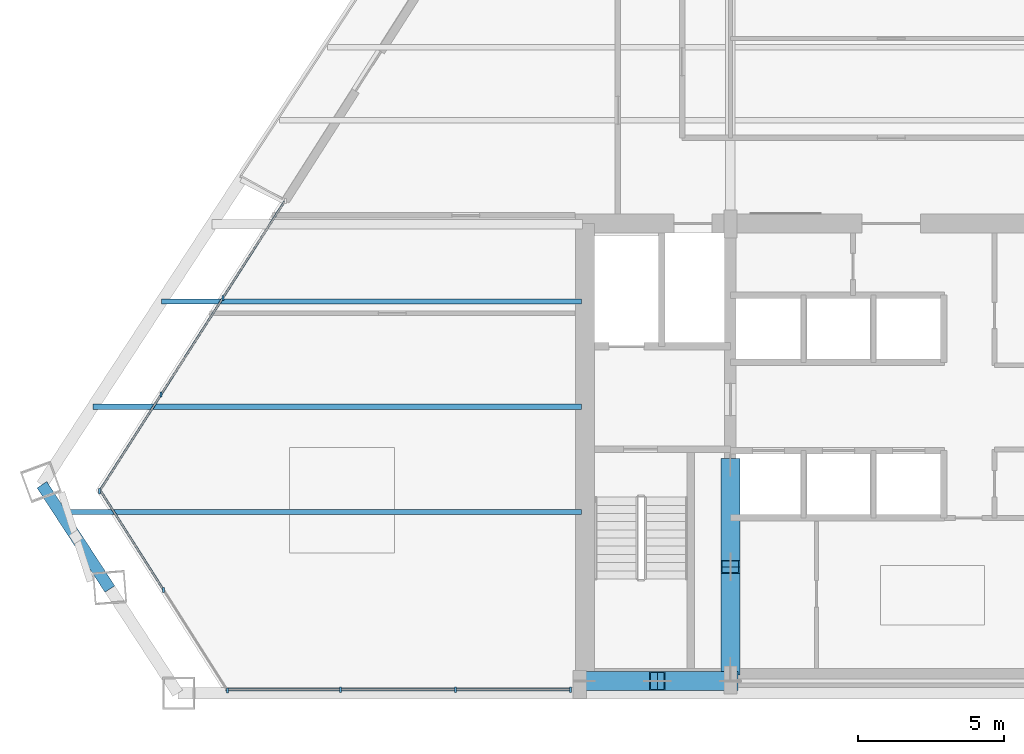
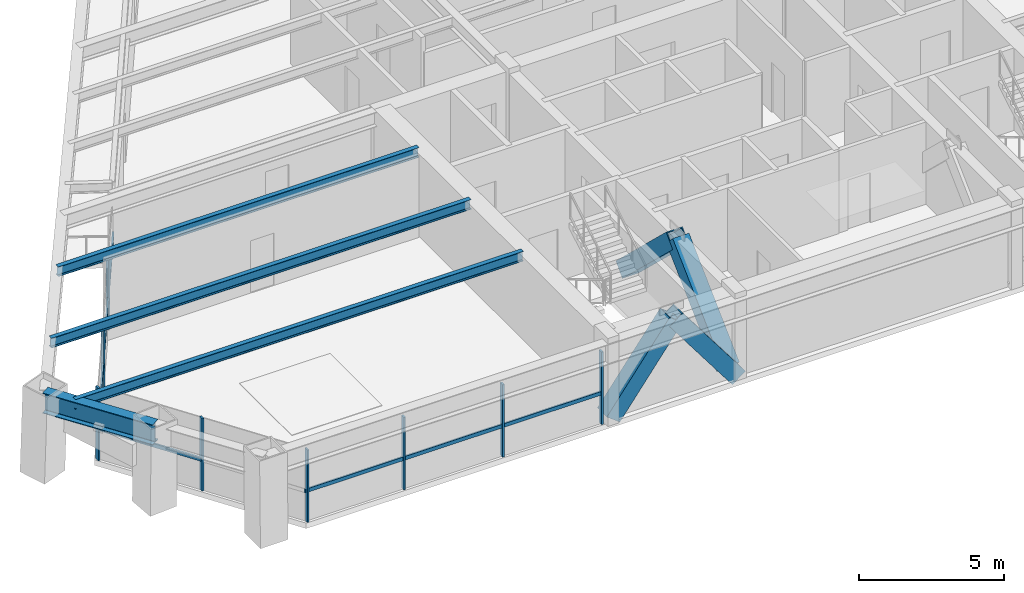
# One storey, part 2 of 15: 19 members, 4 beams, 3 elements without a shape of their own.
"""IFC4 building model written with IfcOpenShell, lengths in metres."""

from ifc_helpers import new_model, si_unit, direction, frame, origin, origin_2d, place, context, subcontext, project, spatial, rectangle, hollow_rectangle, i_section, extrude, source, transform, mapped, material, material_profile, profile_set, type_object, element, aggregate, save


model = new_model("IFC4")

# Units and contexts
model_context = context("Model", 3, precision=1e-05, world=origin(), true_north=direction((0.0, 1.0)))
body_context = subcontext(model_context, "Body", "Model", "MODEL_VIEW")
ifc_project = project(units=[si_unit("LENGTHUNIT", "METRE"), si_unit("AREAUNIT", "SQUARE_METRE"), si_unit("VOLUMEUNIT", "CUBIC_METRE"), si_unit("PLANEANGLEUNIT", "RADIAN"), si_unit("MASSUNIT", "GRAM", prefix="KILO")], contexts=[model_context])

# Site, building, storey
site_placement = place(None, origin())
site = spatial("IfcSite", under=ifc_project, at=site_placement, CompositionType="ELEMENT")
building_placement = place(site_placement, origin())
building = spatial("IfcBuilding", under=site, at=building_placement, Name="Varnakhor Terracotta Tower", CompositionType="ELEMENT")
storey_placement = place(building_placement, frame((0.0, 0.0, 158.89990234375)))
storey = spatial("IfcBuildingStorey", under=building, at=storey_placement, Name="L40", CompositionType="ELEMENT", Elevation=158.89990234375)

# Members
ifc_material_1 = material(Name="Steel S460", Category="steel")
ifc_material_profile_1 = material_profile(ifc_material_1, hollow_rectangle(XDim=0.64990234375, YDim=0.64990234375, WallThickness=0.0400390625, at=origin_2d()), Name="HSS650X650X40")
ifc_profile_set_1 = profile_set([ifc_material_profile_1], Name="Steel S460")
member_type_1 = type_object("IfcMemberType", Name="MBR-MEGA-650", PredefinedType="BRACE", material=ifc_profile_set_1)
shared_shape_1 = source(origin(), body_context, "Body", "SweptSolid", [
    extrude(hollow_rectangle(XDim=0.64990234375, YDim=0.64990234375, WallThickness=0.0400390625, at=origin_2d()), origin(), (0.0, 0.0, 1.0), 4.805908203125),
])
member_1_placement = place(storey_placement, frame((-5.5, 0.85009765625, 0.0), z_axis=(0.0, 0.723026776832, 0.69082000549), x_axis=(-1.0, 0.0, 0.0)))
element("IfcMember", 1, at=member_1_placement, inside=storey, type_object=member_type_1, Name="L40 Core Coupled Brace CWWA", PredefinedType="BRACE", context=body_context, shape_type="MappedRepresentation", body=[
    mapped(shared_shape_1, transform((0.0, 0.0, 0.0), scale=1.0)),
])
shared_shape_2 = source(origin(), body_context, "Body", "SweptSolid", [
    extrude(hollow_rectangle(XDim=0.64990234375, YDim=0.64990234375, WallThickness=0.0400390625, at=origin_2d()), origin(), (0.0, 0.0, 1.0), 4.156005859375),
])
for number, where, z_axis, x_axis, name in (
    (2, (-10.5, 0.419921875, 0.0), (0.601530923869, 0.0, 0.798849515009), (0.0, 1.0, 0.0), "L40 Core Coupled Brace CSWA"),
    (3, (-5.5, 0.419921875, 0.0), (-0.601530923869, 0.0, 0.798849515009), (0.0, -1.0, 0.0), "L40 Core Coupled Brace CSWB"),
):
    element("IfcMember", number, at=place(storey_placement, frame(where, z_axis=z_axis, x_axis=x_axis)), inside=storey, type_object=member_type_1, Name=name, PredefinedType="BRACE", context=body_context, shape_type="MappedRepresentation", body=[
        mapped(shared_shape_2, transform((0.0, 0.0, 0.0), scale=1.0)),
    ])
shared_shape_3 = source(origin(), body_context, "Body", "SweptSolid", [
    extrude(hollow_rectangle(XDim=0.64990234375, YDim=0.64990234375, WallThickness=0.0400390625, at=origin_2d()), origin(), (0.0, 0.0, 1.0), 4.80615234375),
])
member_2_placement = place(storey_placement, frame((-5.5, 7.800048828125, 0.0), z_axis=(0.0, -0.723051018573, 0.690794632681), x_axis=(1.0, 0.0, 0.0)))
element("IfcMember", 4, at=member_2_placement, inside=storey, type_object=member_type_1, Name="L40 Core Coupled Brace CWWB", PredefinedType="BRACE", context=body_context, shape_type="MappedRepresentation", body=[
    mapped(shared_shape_3, transform((0.0, 0.0, 0.0), scale=1.0)),
])

# Beams
ifc_material_2 = material(Name="Steel S355", Category="steel")
ifc_material_profile_2 = material_profile(ifc_material_2, i_section(OverallWidth=0.39990234375, OverallDepth=0.85498046875, WebThickness=0.01806640625, FlangeThickness=0.029052734375, FilletRadius=0.01806640625, at=origin_2d()), Name="W33X201")
ifc_profile_set_2 = profile_set([ifc_material_profile_2], Name="Steel S355")
beam_type_1 = type_object("IfcBeamType", Name="BM-W33X201", PredefinedType="BEAM", material=ifc_profile_set_2)
shared_shape_4 = source(origin(), body_context, "Body", "SweptSolid", [
    extrude(i_section(OverallWidth=0.39990234375, OverallDepth=0.85498046875, WebThickness=0.01806640625, FlangeThickness=0.029052734375, FilletRadius=0.01806640625, at=origin_2d()), origin(), (0.0, 0.0, 1.0), 4.2568359375),
])
beam_1_placement = place(storey_placement, frame((-29.05126953125, 7.133056640625, 3.04248046875), z_axis=(0.545881087399, -0.837862660834, 0.0), x_axis=(0.837862660834, 0.545881087399, 0.0)))
element("IfcBeam", 5, at=beam_1_placement, inside=storey, type_object=beam_type_1, Name="L40 Perimeter Spandrel 7", PredefinedType="BEAM", context=body_context, shape_type="MappedRepresentation", body=[
    mapped(shared_shape_4, transform((0.0, 0.0, 0.0), scale=1.0)),
])
ifc_material_profile_3 = material_profile(ifc_material_2, i_section(OverallWidth=0.179931640625, OverallDepth=0.4130859375, WebThickness=0.009765625, FlangeThickness=0.01611328125, FilletRadius=0.01806640625, at=origin_2d()), Name="W16X50")
ifc_profile_set_3 = profile_set([ifc_material_profile_3], Name="Steel S355")
beam_type_2 = type_object("IfcBeamType", Name="JST-W16X50", PredefinedType="JOIST", material=ifc_profile_set_3)
shared_shape_5 = source(origin(), body_context, "Body", "SweptSolid", [
    extrude(i_section(OverallWidth=0.179931640625, OverallDepth=0.4130859375, WebThickness=0.009765625, FlangeThickness=0.01611328125, FilletRadius=0.01806640625, at=origin_2d()), origin(), (0.0, 0.0, 1.0), 17.84326171875),
])
beam_2_placement = place(storey_placement, frame((-28.443359375, 6.199951171875, 3.263671875), z_axis=(1.0, 0.0, 0.0), x_axis=(0.0, 1.0, 0.0)))
element("IfcBeam", 6, at=beam_2_placement, inside=storey, type_object=beam_type_2, Name="L40 Floor Joist W1", PredefinedType="JOIST", context=body_context, shape_type="MappedRepresentation", body=[
    mapped(shared_shape_5, transform((0.0, 0.0, 0.0), scale=1.0)),
])
shared_shape_6 = source(origin(), body_context, "Body", "SweptSolid", [
    extrude(i_section(OverallWidth=0.179931640625, OverallDepth=0.4130859375, WebThickness=0.009765625, FlangeThickness=0.01611328125, FilletRadius=0.01806640625, at=origin_2d()), origin(), (0.0, 0.0, 1.0), 16.711181640625),
])
beam_3_placement = place(storey_placement, frame((-27.311279296875, 9.800048828125, 3.263671875), z_axis=(1.0, 0.0, 0.0), x_axis=(0.0, 1.0, 0.0)))
element("IfcBeam", 7, at=beam_3_placement, inside=storey, type_object=beam_type_2, Name="L40 Floor Joist W2", PredefinedType="JOIST", context=body_context, shape_type="MappedRepresentation", body=[
    mapped(shared_shape_6, transform((0.0, 0.0, 0.0), scale=1.0)),
])
shared_shape_7 = source(origin(), body_context, "Body", "SweptSolid", [
    extrude(i_section(OverallWidth=0.179931640625, OverallDepth=0.4130859375, WebThickness=0.009765625, FlangeThickness=0.01611328125, FilletRadius=0.01806640625, at=origin_2d()), origin(), (0.0, 0.0, 1.0), 14.36279296875),
])
beam_4_placement = place(storey_placement, frame((-24.962890625, 13.39990234375, 3.263671875), z_axis=(1.0, 0.0, 0.0), x_axis=(0.0, 1.0, 0.0)))
element("IfcBeam", 8, at=beam_4_placement, inside=storey, type_object=beam_type_2, Name="L40 Floor Joist W3", PredefinedType="JOIST", context=body_context, shape_type="MappedRepresentation", body=[
    mapped(shared_shape_7, transform((0.0, 0.0, 0.0), scale=1.0)),
])

# Curtain wall, members
ifc_material_3 = material(Name="Anodised Aluminium Curtain Wall System", Category="aluminium")
curtain_wall_type = type_object("IfcCurtainWallType", Name="CW-SYS-MID-OFFICE", PredefinedType="NOTDEFINED", material=ifc_material_3)
curtain_wall_1_placement = place(storey_placement, origin())
curtain_wall_1 = element("IfcCurtainWall", 9, at=curtain_wall_1_placement, inside=storey, type_object=curtain_wall_type, Name="L40 W Facet Curtain Wall 1", PredefinedType="NOTDEFINED")
ifc_material_4 = material(Name="Anodised Aluminium 6063-T6", Category="aluminium")
ifc_material_profile_4 = material_profile(ifc_material_4, rectangle(XDim=0.070068359375, YDim=0.175048828125, at=origin_2d()), Name="ALU MULLION 70x175")
ifc_profile_set_4 = profile_set([ifc_material_profile_4], Name="Anodised Aluminium 6063-T6")
member_type_2 = type_object("IfcMemberType", Name="CWM-03", PredefinedType="MULLION", material=ifc_profile_set_4)
shared_shape_8 = source(origin(), body_context, "Body", "SweptSolid", [
    extrude(rectangle(XDim=0.070068359375, YDim=0.175048828125, at=origin_2d()), origin(), (0.0, 0.0, 1.0), 3.050048828125),
])
member_3_placement = place(storey_placement, frame((-27.085205078125, 6.909912109375, 0.0), z_axis=(0.0, 0.0, 1.0), x_axis=(1.0, 0.0, 0.0)))
member_3 = element("IfcMember", 10, at=member_3_placement, type_object=member_type_2, Name="L40 W Facet Curtain Wall 1 Mullion 1", PredefinedType="MULLION", context=body_context, shape_type="MappedRepresentation", body=[
    mapped(shared_shape_8, transform((0.0, 0.0, 0.0), scale=1.0)),
])
member_4_placement = place(storey_placement, frame((-24.9736328125, 10.2158203125, 0.0), z_axis=(0.0, 0.0, 1.0), x_axis=(1.0, 0.0, 0.0)))
member_4 = element("IfcMember", 11, at=member_4_placement, type_object=member_type_2, Name="L40 W Facet Curtain Wall 1 Mullion 2", PredefinedType="MULLION", context=body_context, shape_type="MappedRepresentation", body=[
    mapped(shared_shape_8, transform((0.0, 0.0, 0.0), scale=1.0)),
])
member_5_placement = place(storey_placement, frame((-22.8623046875, 13.521484375, 0.0), z_axis=(0.0, 0.0, 1.0), x_axis=(1.0, 0.0, 0.0)))
member_5 = element("IfcMember", 12, at=member_5_placement, type_object=member_type_2, Name="L40 W Facet Curtain Wall 1 Mullion 3", PredefinedType="MULLION", context=body_context, shape_type="MappedRepresentation", body=[
    mapped(shared_shape_8, transform((0.0, 0.0, 0.0), scale=1.0)),
])

curtain_wall_2_placement = place(storey_placement, origin())
curtain_wall_2 = element("IfcCurtainWall", 13, at=curtain_wall_2_placement, inside=storey, type_object=curtain_wall_type, Name="L40 South Wing Curtain Wall SSW", PredefinedType="NOTDEFINED")
member_6_placement = place(storey_placement, frame((-10.969970703125, 0.1201171875, 0.0), z_axis=(0.0, 0.0, 1.0), x_axis=(1.0, 0.0, 0.0)))
member_6 = element("IfcMember", 14, at=member_6_placement, type_object=member_type_2, Name="L40 South Wing Curtain Wall SSW Mullion 1", PredefinedType="MULLION", context=body_context, shape_type="MappedRepresentation", body=[
    mapped(shared_shape_8, transform((0.0, 0.0, 0.0), scale=1.0)),
])
member_7_placement = place(storey_placement, frame((-14.905029296875, 0.1201171875, 0.0), z_axis=(0.0, 0.0, 1.0), x_axis=(1.0, 0.0, 0.0)))
member_7 = element("IfcMember", 15, at=member_7_placement, type_object=member_type_2, Name="L40 South Wing Curtain Wall SSW Mullion 2", PredefinedType="MULLION", context=body_context, shape_type="MappedRepresentation", body=[
    mapped(shared_shape_8, transform((0.0, 0.0, 0.0), scale=1.0)),
])
member_8_placement = place(storey_placement, frame((-18.840087890625, 0.1201171875, 0.0), z_axis=(0.0, 0.0, 1.0), x_axis=(1.0, 0.0, 0.0)))
member_8 = element("IfcMember", 16, at=member_8_placement, type_object=member_type_2, Name="L40 South Wing Curtain Wall SSW Mullion 3", PredefinedType="MULLION", context=body_context, shape_type="MappedRepresentation", body=[
    mapped(shared_shape_8, transform((0.0, 0.0, 0.0), scale=1.0)),
])

curtain_wall_3_placement = place(storey_placement, origin())
curtain_wall_3 = element("IfcCurtainWall", 17, at=curtain_wall_3_placement, inside=storey, type_object=curtain_wall_type, Name="L40 Facet Curtain Wall 6", PredefinedType="NOTDEFINED")
member_9_placement = place(storey_placement, frame((-22.7001953125, 0.089599609375, 0.0), z_axis=(0.0, 0.0, 1.0), x_axis=(1.0, 0.0, 0.0)))
member_9 = element("IfcMember", 18, at=member_9_placement, type_object=member_type_2, Name="L40 Facet Curtain Wall 6 Mullion 1", PredefinedType="MULLION", context=body_context, shape_type="MappedRepresentation", body=[
    mapped(shared_shape_8, transform((0.0, 0.0, 0.0), scale=1.0)),
])
member_10_placement = place(storey_placement, frame((-24.892578125, 3.5390625, 0.0), z_axis=(0.0, 0.0, 1.0), x_axis=(1.0, 0.0, 0.0)))
member_10 = element("IfcMember", 19, at=member_10_placement, type_object=member_type_2, Name="L40 Facet Curtain Wall 6 Mullion 2", PredefinedType="MULLION", context=body_context, shape_type="MappedRepresentation", body=[
    mapped(shared_shape_8, transform((0.0, 0.0, 0.0), scale=1.0)),
])

# Member
ifc_material_profile_5 = material_profile(ifc_material_4, rectangle(XDim=0.070068359375, YDim=0.155029296875, at=origin_2d()), Name="ALU TRANSOM 70x155")
ifc_profile_set_5 = profile_set([ifc_material_profile_5], Name="Anodised Aluminium 6063-T6")
member_type_3 = type_object("IfcMemberType", Name="CWT-03", PredefinedType="USERDEFINED", material=ifc_profile_set_5)
shared_shape_9 = source(origin(), body_context, "Body", "SweptSolid", [
    extrude(rectangle(XDim=0.070068359375, YDim=0.155029296875, at=origin_2d()), origin(), (0.0, 0.0, 1.0), 3.922607421875),
])
member_11_placement = place(storey_placement, frame((-27.085205078125, 6.909912109375, 1.281005859375), z_axis=(0.538292285318, 0.842758218926, 0.0), x_axis=(-0.842758218926, 0.538292285318, 0.0)))
member_11 = element("IfcMember", 20, at=member_11_placement, type_object=member_type_3, Name="L40 W Facet Curtain Wall 1 Transom 1", ObjectType="TRANSOM", PredefinedType="USERDEFINED", context=body_context, shape_type="MappedRepresentation", body=[
    mapped(shared_shape_9, transform((0.0, 0.0, 0.0), scale=1.0)),
])

member_12_placement = place(storey_placement, frame((-22.8623046875, 13.521484375, 1.281005859375), z_axis=(0.538292285318, 0.842758218926, 0.0), x_axis=(-0.842758218926, 0.538292285318, 0.0)))
member_12 = element("IfcMember", 21, at=member_12_placement, type_object=member_type_3, Name="L40 W Facet Curtain Wall 1 Transom 3", ObjectType="TRANSOM", PredefinedType="USERDEFINED", context=body_context, shape_type="MappedRepresentation", body=[
    mapped(shared_shape_9, transform((0.0, 0.0, 0.0), scale=1.0)),
])

shared_shape_10 = source(origin(), body_context, "Body", "SweptSolid", [
    extrude(rectangle(XDim=0.070068359375, YDim=0.155029296875, at=origin_2d()), origin(), (0.0, 0.0, 1.0), 3.92236328125),
])
member_13_placement = place(storey_placement, frame((-24.9736328125, 10.2158203125, 1.281005859375), z_axis=(0.538276314251, 0.842768419862, 0.0), x_axis=(-0.842768419862, 0.538276314251, 0.0)))
member_13 = element("IfcMember", 22, at=member_13_placement, type_object=member_type_3, Name="L40 W Facet Curtain Wall 1 Transom 2", ObjectType="TRANSOM", PredefinedType="USERDEFINED", context=body_context, shape_type="MappedRepresentation", body=[
    mapped(shared_shape_10, transform((0.0, 0.0, 0.0), scale=1.0)),
])

aggregate(curtain_wall_1, [member_3, member_11, member_4, member_13, member_5, member_12])

shared_shape_11 = source(origin(), body_context, "Body", "SweptSolid", [
    extrude(rectangle(XDim=0.070068359375, YDim=0.155029296875, at=origin_2d()), origin(), (0.0, 0.0, 1.0), 3.93505859375),
])
member_14_placement = place(storey_placement, frame((-10.969970703125, 0.1201171875, 1.281005859375), z_axis=(-1.0, 0.0, 0.0), x_axis=(0.0, -1.0, 0.0)))
member_14 = element("IfcMember", 23, at=member_14_placement, type_object=member_type_3, Name="L40 South Wing Curtain Wall SSW Transom 1", ObjectType="TRANSOM", PredefinedType="USERDEFINED", context=body_context, shape_type="MappedRepresentation", body=[
    mapped(shared_shape_11, transform((0.0, 0.0, 0.0), scale=1.0)),
])

member_15_placement = place(storey_placement, frame((-14.905029296875, 0.1201171875, 1.281005859375), z_axis=(-1.0, 0.0, 0.0), x_axis=(0.0, -1.0, 0.0)))
member_15 = element("IfcMember", 24, at=member_15_placement, type_object=member_type_3, Name="L40 South Wing Curtain Wall SSW Transom 2", ObjectType="TRANSOM", PredefinedType="USERDEFINED", context=body_context, shape_type="MappedRepresentation", body=[
    mapped(shared_shape_11, transform((0.0, 0.0, 0.0), scale=1.0)),
])

shared_shape_12 = source(origin(), body_context, "Body", "SweptSolid", [
    extrude(rectangle(XDim=0.070068359375, YDim=0.155029296875, at=origin_2d()), origin(), (0.0, 0.0, 1.0), 3.935302734375),
])
member_16_placement = place(storey_placement, frame((-18.840087890625, 0.1201171875, 1.281005859375), z_axis=(-1.0, 0.0, 0.0), x_axis=(0.0, -1.0, 0.0)))
member_16 = element("IfcMember", 25, at=member_16_placement, type_object=member_type_3, Name="L40 South Wing Curtain Wall SSW Transom 3", ObjectType="TRANSOM", PredefinedType="USERDEFINED", context=body_context, shape_type="MappedRepresentation", body=[
    mapped(shared_shape_12, transform((0.0, 0.0, 0.0), scale=1.0)),
])

aggregate(curtain_wall_2, [member_6, member_14, member_7, member_15, member_8, member_16])

shared_shape_13 = source(origin(), body_context, "Body", "SweptSolid", [
    extrude(rectangle(XDim=0.070068359375, YDim=0.155029296875, at=origin_2d()), origin(), (0.0, 0.0, 1.0), 4.087158203125),
])
member_17_placement = place(storey_placement, frame((-24.892578125, 3.5390625, 1.281005859375), z_axis=(-0.536469591359, 0.843919651121, 0.0), x_axis=(-0.843919651121, -0.536469591359, 0.0)))
member_17 = element("IfcMember", 26, at=member_17_placement, type_object=member_type_3, Name="L40 Facet Curtain Wall 6 Transom 2", ObjectType="TRANSOM", PredefinedType="USERDEFINED", context=body_context, shape_type="MappedRepresentation", body=[
    mapped(shared_shape_13, transform((0.0, 0.0, 0.0), scale=1.0)),
])

aggregate(curtain_wall_3, [member_9, member_10, member_17])

save(model, "model.ifc")
